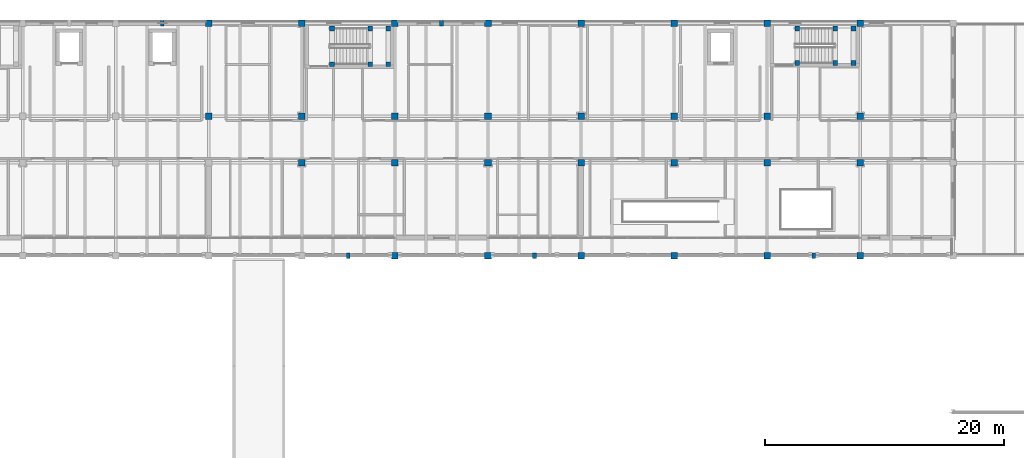
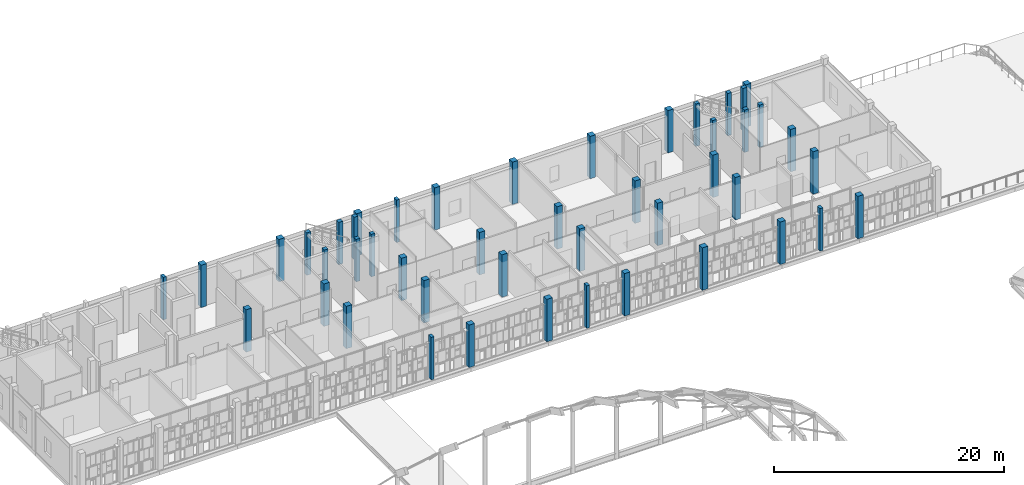
# One storey, part 10 of 119: 46 columns.
"""IFC4 building model written with IfcOpenShell, lengths in metres."""

from ifc_helpers import new_model, si_unit, direction, frame, origin, origin_2d, place, context, subcontext, project, spatial, rectangle, extrude, material, material_profile, profile_set, type_object, element, save


model = new_model("IFC4")

# Units and contexts
model_context = context("Model", 3, precision=1e-05, world=origin(), true_north=direction((0.0, 1.0)))
body_context = subcontext(model_context, "Body", "Model", "MODEL_VIEW")
ifc_project = project(units=[si_unit("LENGTHUNIT", "METRE"), si_unit("AREAUNIT", "SQUARE_METRE"), si_unit("VOLUMEUNIT", "CUBIC_METRE"), si_unit("PLANEANGLEUNIT", "RADIAN"), si_unit("MASSUNIT", "GRAM", prefix="KILO")], contexts=[model_context])

# Site, building, storey
site_placement = place(None, origin())
site = spatial("IfcSite", under=ifc_project, at=site_placement, CompositionType="ELEMENT")
building_placement = place(site_placement, origin())
building = spatial("IfcBuilding", under=site, at=building_placement, Name="Celorna Specialist Clinic", CompositionType="ELEMENT")
storey_placement = place(building_placement, frame((0.0, 0.0, 9.60009765625)))
storey = spatial("IfcBuildingStorey", under=building, at=storey_placement, Name="L02", CompositionType="ELEMENT", Elevation=9.60009765625)

# Columns
ifc_material_1 = material(Name="Concrete C35/45", Category="concrete")
ifc_material_profile_1 = material_profile(ifc_material_1, rectangle(XDim=0.550048828125, YDim=0.550048828125, at=origin_2d()), Name="RC 550x550")
ifc_profile_set_1 = profile_set([ifc_material_profile_1], Name="Concrete C35/45")
column_type_1 = type_object("IfcColumnType", Name="CT-05", PredefinedType="COLUMN", material=ifc_profile_set_1)
for number, where, z_axis, x_axis, name in (
    (1, (70.199951171875, 108.199951171875, 0.0), (0.0, 0.0, 1.0), (1.0, 0.0, 0.0), "Column CT-05 L02 X10/YT"),
    (2, (70.199951171875, 116.0, 0.0), (0.0, 0.0, 1.0), (1.0, 0.0, 0.0), "Column CT-05 L02 X10/YU"),
    (3, (78.0, 104.300048828125, 0.0), (0.0, 0.0, 1.0), (1.0, 0.0, 0.0), "Column CT-05 L02 X11/YS"),
    (4, (78.0, 108.199951171875, 0.0), (0.0, 0.0, 1.0), (1.0, 0.0, 0.0), "Column CT-05 L02 X11/YT"),
    (5, (78.0, 116.0, 0.0), (0.0, 0.0, 1.0), (1.0, 0.0, 0.0), "Column CT-05 L02 X11/YU"),
    (6, (85.800048828125, 96.5, 0.0), (0.0, 0.0, 1.0), (1.0, 0.0, 0.0), "Column CT-05 L02 X12/YR"),
    (7, (85.800048828125, 104.300048828125, 0.0), (0.0, 0.0, 1.0), (1.0, 0.0, 0.0), "Column CT-05 L02 X12/YS"),
    (8, (85.800048828125, 108.199951171875, 0.0), (0.0, 0.0, 1.0), (1.0, 0.0, 0.0), "Column CT-05 L02 X12/YT"),
    (9, (85.800048828125, 116.0, 0.0), (0.0, 0.0, 1.0), (1.0, 0.0, 0.0), "Column CT-05 L02 X12/YU"),
    (10, (93.60009765625, 96.5, 0.0), (0.0, 0.0, 1.0), (1.0, 0.0, 0.0), "Column CT-05 L02 X13/YR"),
    (11, (93.60009765625, 104.300048828125, 0.0), (0.0, 0.0, 1.0), (1.0, 0.0, 0.0), "Column CT-05 L02 X13/YS"),
    (12, (93.60009765625, 108.199951171875, 0.0), (0.0, 0.0, 1.0), (1.0, 0.0, 0.0), "Column CT-05 L02 X13/YT"),
    (13, (93.60009765625, 116.0, 0.0), (0.0, 0.0, 1.0), (1.0, 0.0, 0.0), "Column CT-05 L02 X13/YU"),
    (14, (101.39990234375, 96.5, 0.0), (0.0, 0.0, 1.0), (1.0, 0.0, 0.0), "Column CT-05 L02 X14/YR"),
    (15, (101.39990234375, 104.300048828125, 0.0), (0.0, 0.0, 1.0), (1.0, 0.0, 0.0), "Column CT-05 L02 X14/YS"),
    (16, (101.39990234375, 108.199951171875, 0.0), (0.0, 0.0, 1.0), (1.0, 0.0, 0.0), "Column CT-05 L02 X14/YT"),
    (17, (101.39990234375, 116.0, 0.0), (0.0, 0.0, 1.0), (1.0, 0.0, 0.0), "Column CT-05 L02 X14/YU"),
    (18, (109.199951171875, 96.5, 0.0), (0.0, 0.0, 1.0), (1.0, 0.0, 0.0), "Column CT-05 L02 X15/YR"),
    (19, (109.199951171875, 104.300048828125, 0.0), (0.0, 0.0, 1.0), (1.0, 0.0, 0.0), "Column CT-05 L02 X15/YS"),
    (20, (109.199951171875, 108.199951171875, 0.0), (0.0, 0.0, 1.0), (1.0, 0.0, 0.0), "Column CT-05 L02 X15/YT"),
    (21, (109.199951171875, 116.0, 0.0), (0.0, 0.0, 1.0), (1.0, 0.0, 0.0), "Column CT-05 L02 X15/YU"),
    (22, (117.0, 96.5, 0.0), (0.0, 0.0, 1.0), (1.0, 0.0, 0.0), "Column CT-05 L02 X16/YR"),
    (23, (117.0, 104.300048828125, 0.0), (0.0, 0.0, 1.0), (1.0, 0.0, 0.0), "Column CT-05 L02 X16/YS"),
    (24, (117.0, 108.199951171875, 0.0), (0.0, 0.0, 1.0), (1.0, 0.0, 0.0), "Column CT-05 L02 X16/YT"),
    (25, (117.0, 116.0, 0.0), (0.0, 0.0, 1.0), (1.0, 0.0, 0.0), "Column CT-05 L02 X16/YU"),
    (26, (124.800048828125, 96.5, 0.0), (0.0, 0.0, 1.0), (1.0, 0.0, 0.0), "Column CT-05 L02 X17/YR"),
    (27, (124.800048828125, 104.300048828125, 0.0), (0.0, 0.0, 1.0), (1.0, 0.0, 0.0), "Column CT-05 L02 X17/YS"),
    (28, (124.800048828125, 108.199951171875, 0.0), (0.0, 0.0, 1.0), (1.0, 0.0, 0.0), "Column CT-05 L02 X17/YT"),
    (29, (124.800048828125, 116.0, 0.0), (0.0, 0.0, 1.0), (1.0, 0.0, 0.0), "Column CT-05 L02 X17/YU"),
):
    element("IfcColumn", number, at=place(storey_placement, frame(where, z_axis=z_axis, x_axis=x_axis)), inside=storey, type_object=column_type_1, Name=name, PredefinedType="COLUMN", context=body_context, shape_type="SweptSolid", body=[
        extrude(rectangle(XDim=0.550048828125, YDim=0.550048828125, at=origin_2d()), origin(), (0.0, 0.0, 1.0), 4.5),
    ])
ifc_material_profile_2 = material_profile(ifc_material_1, rectangle(XDim=0.39990234375, YDim=0.39990234375, at=origin_2d()), Name="RC 400x400")
ifc_profile_set_2 = profile_set([ifc_material_profile_2], Name="Concrete C35/45")
column_type_2 = type_object("IfcColumnType", Name="CT-08", PredefinedType="COLUMN", material=ifc_profile_set_2)
for number, where, z_axis, x_axis, name in (
    (30, (80.52001953125, 112.570068359375, 0.0), (0.0, 0.0, 1.0), (1.0, 0.0, 0.0), "Stair ST-02 landing column CT-08 L02 X11/YU"),
    (31, (80.52001953125, 115.570068359375, 0.0), (0.0, 0.0, 1.0), (1.0, 0.0, 0.0), "Stair ST-02 landing column CT-08 L02 X11/YU"),
    (32, (83.719970703125, 112.570068359375, 0.0), (0.0, 0.0, 1.0), (1.0, 0.0, 0.0), "Stair ST-02 landing column CT-08 L02 X12/YU"),
    (33, (83.719970703125, 115.570068359375, 0.0), (0.0, 0.0, 1.0), (1.0, 0.0, 0.0), "Stair ST-02 landing column CT-08 L02 X12/YU"),
    (34, (85.239990234375, 112.570068359375, 0.0), (0.0, 0.0, 1.0), (1.0, 0.0, 0.0), "Stair ST-02 landing column CT-08 L02 X12/YU"),
    (35, (85.239990234375, 115.570068359375, 0.0), (0.0, 0.0, 1.0), (1.0, 0.0, 0.0), "Stair ST-02 landing column CT-08 L02 X12/YU"),
    (36, (119.52001953125, 112.669921875, 0.0), (0.0, 0.0, 1.0), (1.0, 0.0, 0.0), "Stair ST-03 landing column CT-08 L02 X16/YU"),
    (37, (119.52001953125, 115.570068359375, 0.0), (0.0, 0.0, 1.0), (1.0, 0.0, 0.0), "Stair ST-03 landing column CT-08 L02 X16/YU"),
    (38, (122.719970703125, 112.669921875, 0.0), (0.0, 0.0, 1.0), (1.0, 0.0, 0.0), "Stair ST-03 landing column CT-08 L02 X17/YU"),
    (39, (122.719970703125, 115.570068359375, 0.0), (0.0, 0.0, 1.0), (1.0, 0.0, 0.0), "Stair ST-03 landing column CT-08 L02 X17/YU"),
    (40, (124.239990234375, 112.669921875, 0.0), (0.0, 0.0, 1.0), (1.0, 0.0, 0.0), "Stair ST-03 landing column CT-08 L02 X17/YU"),
    (41, (124.239990234375, 115.570068359375, 0.0), (0.0, 0.0, 1.0), (1.0, 0.0, 0.0), "Stair ST-03 landing column CT-08 L02 X17/YU"),
):
    element("IfcColumn", number, at=place(storey_placement, frame(where, z_axis=z_axis, x_axis=x_axis)), inside=storey, type_object=column_type_2, Name=name, PredefinedType="COLUMN", context=body_context, shape_type="SweptSolid", body=[
        extrude(rectangle(XDim=0.39990234375, YDim=0.39990234375, at=origin_2d()), origin(), (0.0, 0.0, 1.0), 4.5),
    ])
ifc_material_2 = material(Name="Precast concrete C40/50", Category="concrete")
ifc_material_profile_3 = material_profile(ifc_material_2, rectangle(XDim=0.300048828125, YDim=0.47998046875, at=origin_2d()), Name="PILASTER 300x480")
ifc_profile_set_3 = profile_set([ifc_material_profile_3], Name="Precast concrete C40/50")
column_type_3 = type_object("IfcColumnType", Name="CT-17", PredefinedType="PILASTER", material=ifc_profile_set_3)
for number, where, z_axis, x_axis, name in (
    (42, (66.300048828125, 116.0, 0.0), (0.0, 0.0, 1.0), (1.0, 0.0, 0.0), "Facade pilaster CT-17 L02 X09/YU"),
    (43, (89.699951171875, 116.0, 0.0), (0.0, 0.0, 1.0), (1.0, 0.0, 0.0), "Facade pilaster CT-17 L02 X13/YU"),
    (44, (81.89990234375, 96.5, 0.0), (0.0, 0.0, 1.0), (1.0, 0.0, 0.0), "Court veranda pilaster CT-17 L02 X12/YR"),
    (45, (97.5, 96.5, 0.0), (0.0, 0.0, 1.0), (1.0, 0.0, 0.0), "Court veranda pilaster CT-17 L02 X13/YR"),
    (46, (120.89990234375, 96.5, 0.0), (0.0, 0.0, 1.0), (1.0, 0.0, 0.0), "Court veranda pilaster CT-17 L02 X17/YR"),
):
    element("IfcColumn", number, at=place(storey_placement, frame(where, z_axis=z_axis, x_axis=x_axis)), inside=storey, type_object=column_type_3, Name=name, PredefinedType="PILASTER", context=body_context, shape_type="SweptSolid", body=[
        extrude(rectangle(XDim=0.300048828125, YDim=0.47998046875, at=origin_2d()), origin(), (0.0, 0.0, 1.0), 4.5),
    ])

save(model, "model.ifc")
